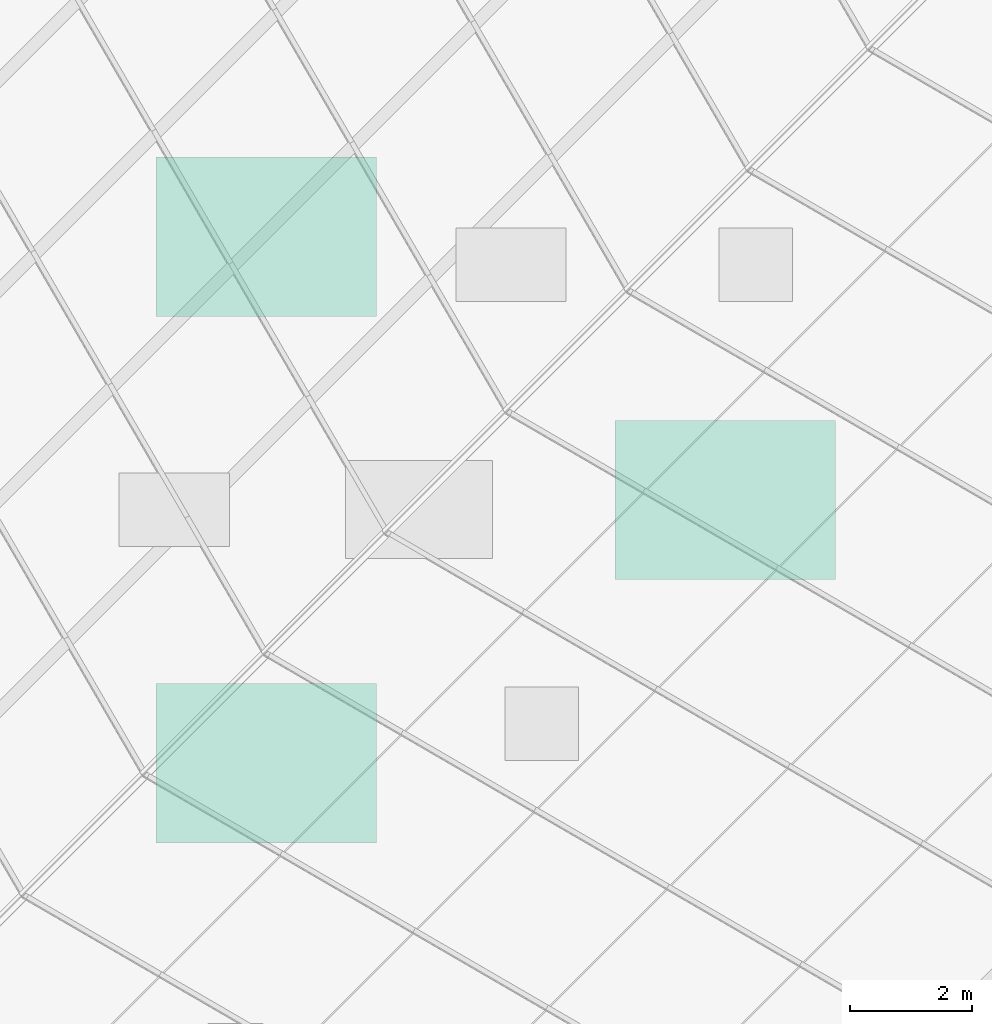
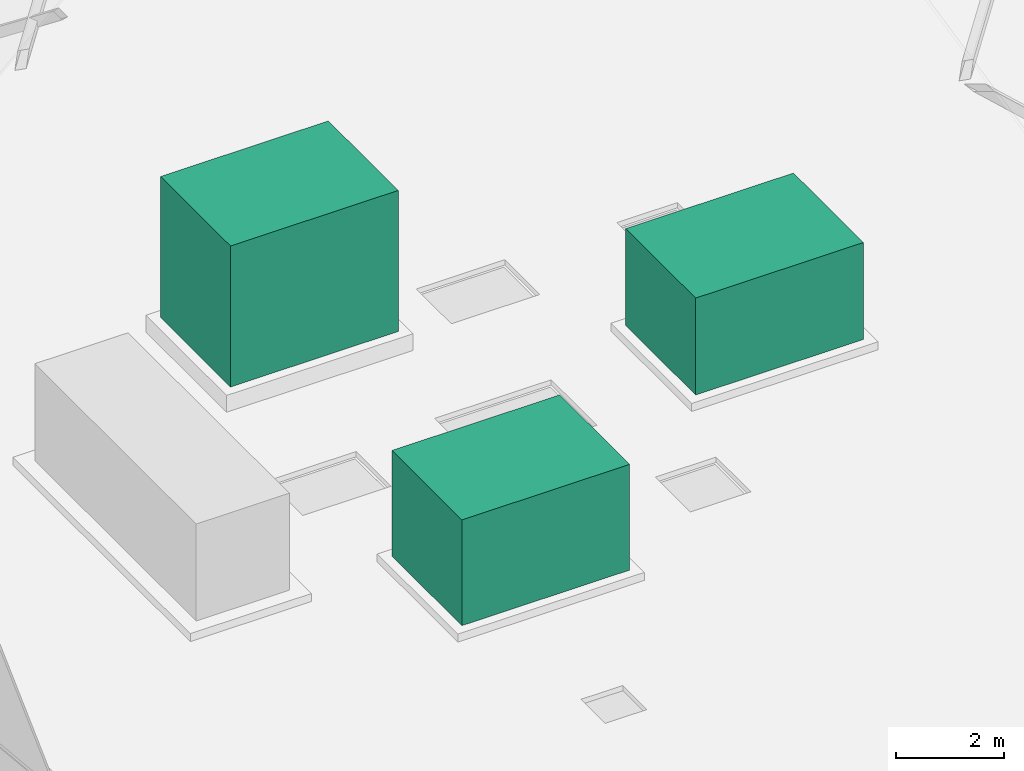
# One storey, part 28 of 29: 1 chiller, 1 cooling tower, 1 unitary equipment element.
"""IFC4 building model written with IfcOpenShell, lengths in metres."""

from ifc_helpers import new_model, si_unit, direction, frame, origin, origin_2d, place, context, subcontext, project, spatial, rectangle, extrude, material, type_object, element, save


model = new_model("IFC4")

# Units and contexts
model_context = context("Model", 3, precision=1e-05, world=origin(), true_north=direction((0.0, 1.0)))
body_context = subcontext(model_context, "Body", "Model", "MODEL_VIEW")
ifc_project = project(units=[si_unit("LENGTHUNIT", "METRE"), si_unit("AREAUNIT", "SQUARE_METRE"), si_unit("VOLUMEUNIT", "CUBIC_METRE"), si_unit("PLANEANGLEUNIT", "RADIAN"), si_unit("MASSUNIT", "GRAM", prefix="KILO")], contexts=[model_context])

# Site, building, storey
site_placement = place(None, origin())
site = spatial("IfcSite", under=ifc_project, at=site_placement, CompositionType="ELEMENT")
building_placement = place(site_placement, origin())
building = spatial("IfcBuilding", under=site, at=building_placement, Name="Tanit Gate Tower", CompositionType="ELEMENT")
storey_placement = place(building_placement, frame((0.0, 0.0, 445.300048828125)))
storey = spatial("IfcBuildingStorey", under=building, at=storey_placement, Name="ROOF", CompositionType="ELEMENT", Elevation=445.300048828125)

# Unitary equipment
ifc_material_1 = material(Name="Steel S355 galvanised", Category="steel")
unitary_equipment_type = type_object("IfcUnitaryEquipmentType", Name="Air handling unit 3600", PredefinedType="AIRHANDLER", material=ifc_material_1)
unitary_equipment_placement = place(storey_placement, frame((-2.5, -4.300048828125, 0.300048828125), z_axis=(0.0, 0.0, 1.0), x_axis=(1.0, 0.0, 0.0)))
element("IfcUnitaryEquipment", 1, at=unitary_equipment_placement, inside=storey, type_object=unitary_equipment_type, Name="Air handling unit 3", PredefinedType="AIRHANDLER", context=body_context, shape_type="SweptSolid", body=[
    extrude(rectangle(XDim=3.60009765625, YDim=2.60009765625, at=origin_2d()), origin(), (0.0, 0.0, 1.0), 2.39990234375),
])

# Chiller
ifc_material_2 = material(Name="Steel S355 galvanised", Category="steel")
chiller_type = type_object("IfcChillerType", Name="Air-cooled chiller 3600", PredefinedType="AIRCOOLED", material=ifc_material_2)
chiller_placement = place(storey_placement, frame((5.0, 0.0, 0.2998046875), z_axis=(0.0, 0.0, 1.0), x_axis=(1.0, 0.0, 0.0)))
element("IfcChiller", 2, at=chiller_placement, inside=storey, type_object=chiller_type, Name="Chiller 1", PredefinedType="AIRCOOLED", context=body_context, shape_type="SweptSolid", body=[
    extrude(rectangle(XDim=3.60009765625, YDim=2.60009765625, at=origin_2d()), origin(), (0.0, 0.0, 1.0), 2.199951171875),
])

# Cooling tower
ifc_material_3 = material(Name="Steel S355 galvanised", Category="steel")
cooling_tower_type = type_object("IfcCoolingTowerType", Name="Cooling tower 3600", PredefinedType="MECHANICALINDUCEDDRAFT", material=ifc_material_3)
cooling_tower_placement = place(storey_placement, frame((-2.5, 4.300048828125, 0.5), z_axis=(0.0, 0.0, 1.0), x_axis=(1.0, 0.0, 0.0)))
element("IfcCoolingTower", 3, at=cooling_tower_placement, inside=storey, type_object=cooling_tower_type, Name="Cooling tower 2", PredefinedType="MECHANICALINDUCEDDRAFT", context=body_context, shape_type="SweptSolid", body=[
    extrude(rectangle(XDim=3.60009765625, YDim=2.60009765625, at=origin_2d()), origin(), (0.0, 0.0, 1.0), 3.199951171875),
])

save(model, "model.ifc")
